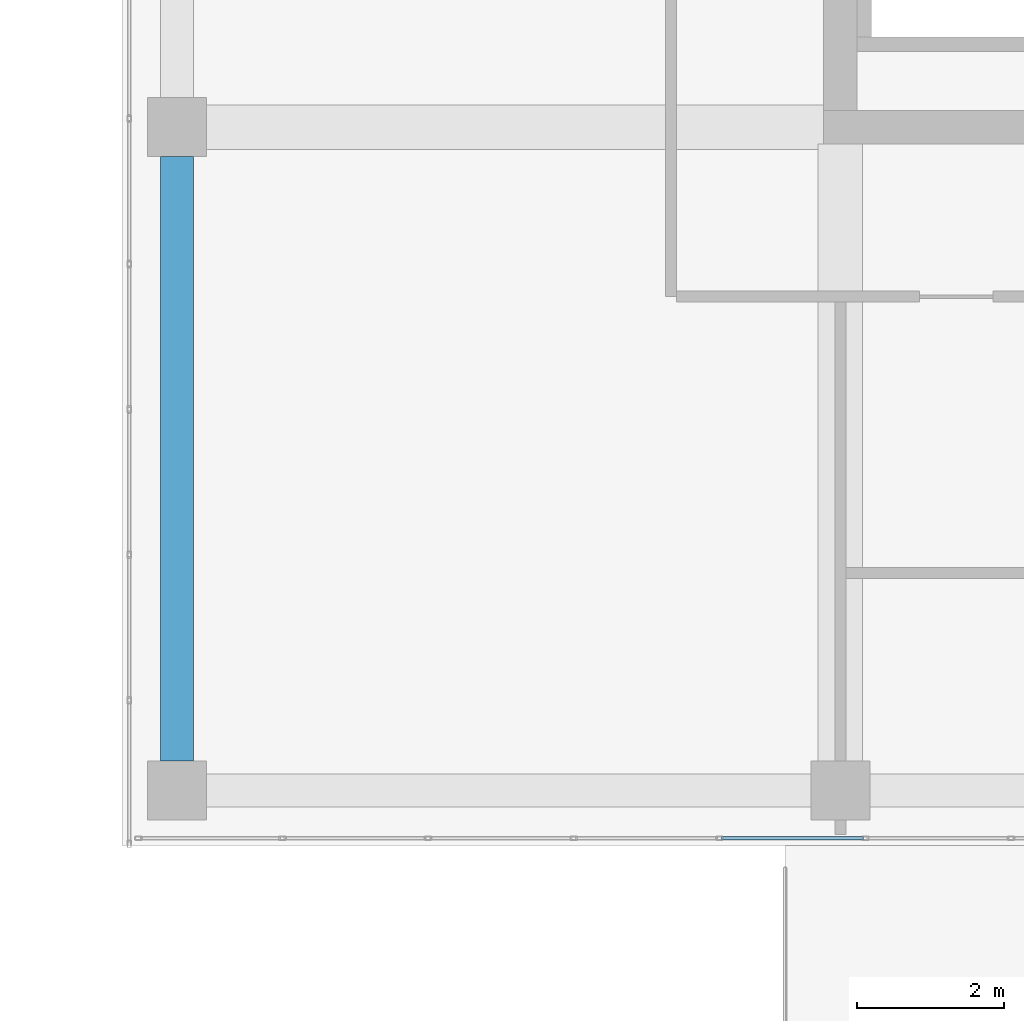
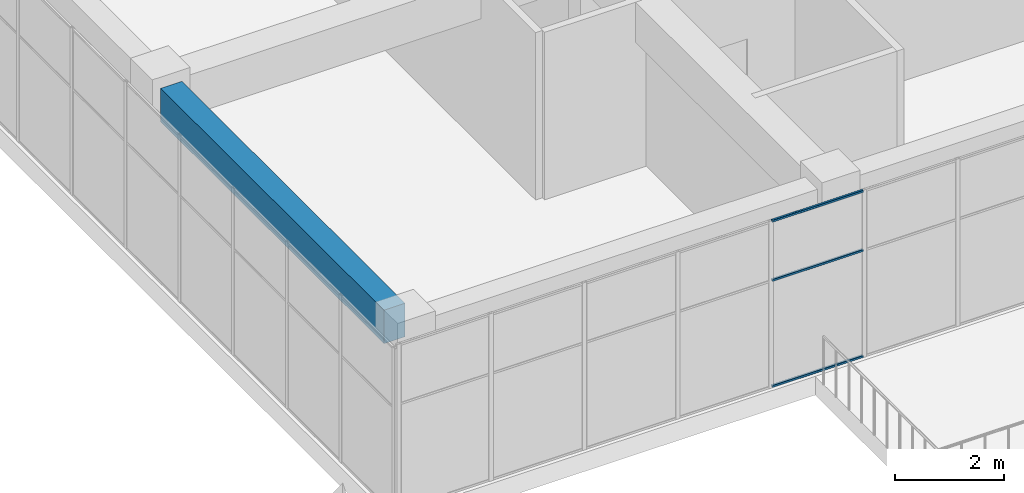
# One storey, part 34 of 81: 3 members, 1 beam, 1 element without a shape of its own.
"""IFC4 building model written with IfcOpenShell, lengths in metres."""

from ifc_helpers import new_model, si_unit, direction, frame, origin, origin_2d, place, context, subcontext, project, spatial, rectangle, hollow_rectangle, extrude, material, layer, layer_set, material_profile, profile_set, type_object, element, aggregate, save


model = new_model("IFC4")

# Units and contexts
model_context = context("Model", 3, precision=1e-05, world=origin(), true_north=direction((0.0, 1.0)))
body_context = subcontext(model_context, "Body", "Model", "MODEL_VIEW")
ifc_project = project(units=[si_unit("LENGTHUNIT", "METRE"), si_unit("AREAUNIT", "SQUARE_METRE"), si_unit("VOLUMEUNIT", "CUBIC_METRE"), si_unit("PLANEANGLEUNIT", "RADIAN"), si_unit("MASSUNIT", "GRAM", prefix="KILO")], contexts=[model_context])

# Site, building, storey
site_placement = place(None, origin())
site = spatial("IfcSite", under=ifc_project, at=site_placement, CompositionType="ELEMENT")
building_placement = place(site_placement, origin())
building = spatial("IfcBuilding", under=site, at=building_placement, Name="Tuart Plaza Theatre", CompositionType="ELEMENT")
storey_placement = place(building_placement, frame((0.0, 0.0, 17.5)))
storey = spatial("IfcBuildingStorey", under=building, at=storey_placement, Name="L04", CompositionType="ELEMENT", Elevation=17.5)

# Beam
ifc_material_1 = material(Name="Concrete N40 (40 MPa)", Category="concrete")
ifc_material_profile_1 = material_profile(ifc_material_1, rectangle(XDim=0.449951171875, YDim=0.75, at=origin_2d()), Name="BEAM 450x750 Concrete N40 (40 MPa)")
ifc_profile_set_1 = profile_set([ifc_material_profile_1], Name="Concrete N40 (40 MPa)")
beam_type = type_object("IfcBeamType", Name="BEAM 450x750 Concrete N40 (40 MPa)", PredefinedType="BEAM", material=ifc_profile_set_1)
beam_placement = place(storey_placement, frame((114.0, 56.39990234375, 3.375), z_axis=(0.0, 1.0, 0.0), x_axis=(-1.0, 0.0, 0.0)))
element("IfcBeam", 1, at=beam_placement, inside=storey, type_object=beam_type, Name="RB207", PredefinedType="BEAM", context=body_context, shape_type="SweptSolid", body=[
    extrude(rectangle(XDim=0.449951171875, YDim=0.75, at=origin_2d()), origin(), (0.0, 0.0, 1.0), 8.2001953125),
])

# Curtain wall, members
ifc_material_2 = material(Name="Aluminium and glass", Category="aluminium")
ifc_layer = layer(ifc_material_2, 0.10009765625)
ifc_layer_set = layer_set([ifc_layer], Name="CURTAIN WALL 2000 module")
curtain_wall_type = type_object("IfcCurtainWallType", Name="CURTAIN WALL 2000 module", PredefinedType="NOTDEFINED", material=ifc_layer_set)
curtain_wall_placement = place(storey_placement, origin())
curtain_wall = element("IfcCurtainWall", 2, at=curtain_wall_placement, inside=storey, type_object=curtain_wall_type, Name="CW87", PredefinedType="NOTDEFINED")
ifc_material_3 = material(Name="Aluminium 6063-T5", Category="aluminium")
ifc_material_profile_2 = material_profile(ifc_material_3, hollow_rectangle(XDim=0.050048828125, YDim=0.050048828125, WallThickness=0.00390625, InnerFilletRadius=0.00390625, OuterFilletRadius=0.008056640625, at=origin_2d()), Name="RHS 50x50x4")
ifc_profile_set_2 = profile_set([ifc_material_profile_2], Name="Aluminium 6063-T5")
member_type = type_object("IfcMemberType", Name="TRANSOM RHS 50x50x4", PredefinedType="USERDEFINED", material=ifc_profile_set_2)
member_1_placement = place(storey_placement, frame((121.38623046875, 55.35009765625, 0.02490234375), z_axis=(1.0, 0.0, 0.0), x_axis=(0.0, 1.0, 0.0)))
member_1 = element("IfcMember", 3, at=member_1_placement, type_object=member_type, Name="CW87 transom 5.1", ObjectType="TRANSOM", PredefinedType="USERDEFINED", context=body_context, shape_type="SweptSolid", body=[
    extrude(hollow_rectangle(XDim=0.050048828125, YDim=0.050048828125, WallThickness=0.00390625, InnerFilletRadius=0.00390625, OuterFilletRadius=0.008056640625, at=origin_2d()), origin(), (0.0, 0.0, 1.0), 1.927734375),
])
member_2_placement = place(storey_placement, frame((121.38623046875, 55.35009765625, 2.39990234375), z_axis=(1.0, 0.0, 0.0), x_axis=(0.0, 1.0, 0.0)))
member_2 = element("IfcMember", 4, at=member_2_placement, type_object=member_type, Name="CW87 transom 5.2", ObjectType="TRANSOM", PredefinedType="USERDEFINED", context=body_context, shape_type="SweptSolid", body=[
    extrude(hollow_rectangle(XDim=0.050048828125, YDim=0.050048828125, WallThickness=0.00390625, InnerFilletRadius=0.00390625, OuterFilletRadius=0.008056640625, at=origin_2d()), origin(), (0.0, 0.0, 1.0), 1.927734375),
])
member_3_placement = place(storey_placement, frame((121.38623046875, 55.35009765625, 3.72509765625), z_axis=(1.0, 0.0, 0.0), x_axis=(0.0, 1.0, 0.0)))
member_3 = element("IfcMember", 5, at=member_3_placement, type_object=member_type, Name="CW87 transom 5.3", ObjectType="TRANSOM", PredefinedType="USERDEFINED", context=body_context, shape_type="SweptSolid", body=[
    extrude(hollow_rectangle(XDim=0.050048828125, YDim=0.050048828125, WallThickness=0.00390625, InnerFilletRadius=0.00390625, OuterFilletRadius=0.008056640625, at=origin_2d()), origin(), (0.0, 0.0, 1.0), 1.927734375),
])
aggregate(curtain_wall, [member_1, member_2, member_3])

save(model, "model.ifc")
